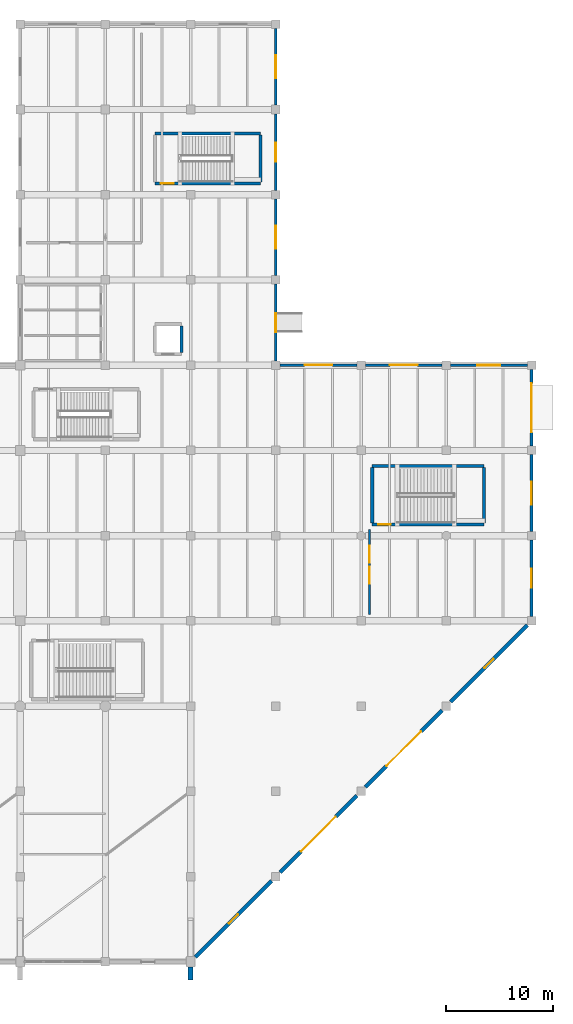
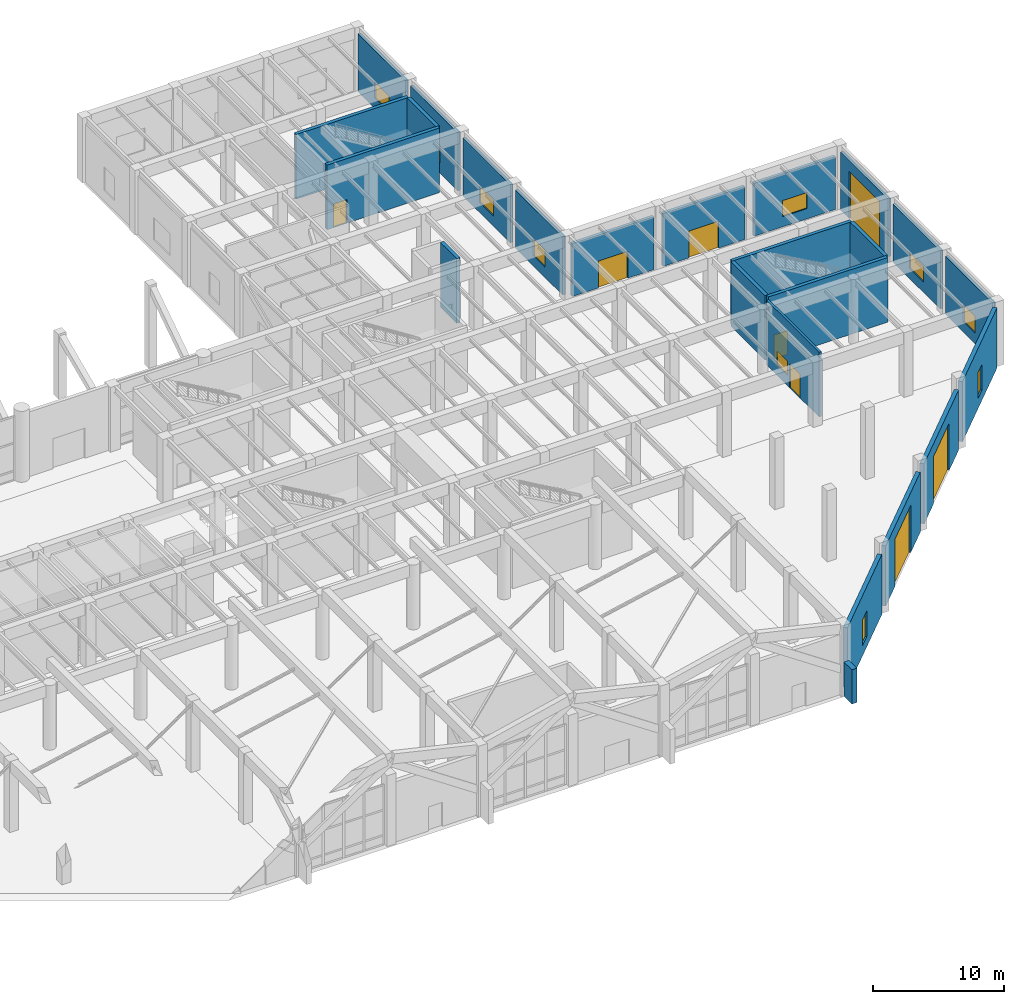
# One storey, part 40 of 51: 24 walls, 10 windows, 8 doors, 18 openings.
"""IFC4 building model written with IfcOpenShell, lengths in metres."""

from ifc_helpers import new_model, si_unit, direction, frame, frame_2d, origin, place, context, subcontext, project, spatial, rectangle, extrude, material, layer, layer_set, type_object, element, fill, save


model = new_model("IFC4")

# Units and contexts
model_context = context("Model", 3, precision=1e-05, world=origin(), true_north=direction((0.0, 1.0)))
body_context = subcontext(model_context, "Body", "Model", "MODEL_VIEW")
ifc_project = project(units=[si_unit("LENGTHUNIT", "METRE"), si_unit("AREAUNIT", "SQUARE_METRE"), si_unit("VOLUMEUNIT", "CUBIC_METRE"), si_unit("PLANEANGLEUNIT", "RADIAN"), si_unit("MASSUNIT", "GRAM", prefix="KILO")], contexts=[model_context])

# Site, building, storey
site_placement = place(None, origin())
site = spatial("IfcSite", under=ifc_project, at=site_placement, CompositionType="ELEMENT")
building_placement = place(site_placement, origin())
building = spatial("IfcBuilding", under=site, at=building_placement, Name="Varnela Railside Interchange", CompositionType="ELEMENT")
storey_placement = place(building_placement, origin())
storey = spatial("IfcBuildingStorey", under=building, at=storey_placement, Name="L00", CompositionType="ELEMENT", Elevation=0.0)

# Wall, opening, window
ifc_material_1 = material(Name="Concrete C40 precast", Category="concrete")
ifc_layer_1 = layer(ifc_material_1, 0.35009765625)
ifc_layer_set_1 = layer_set([ifc_layer_1], Name="Concrete C40 precast")
wall_type_1 = type_object("IfcWallType", Name="Bus Deck Acoustic Concrete Wall EW-04", PredefinedType="STANDARD", material=ifc_layer_set_1)
wall_1_placement = place(storey_placement, frame((163.60009765625, 37.60009765625, 0.0), z_axis=(0.0, 0.0, 1.0), x_axis=(-0.707106781187, -0.707106781187, 0.0)))
wall_1 = element("IfcWall", 1, at=wall_1_placement, inside=storey, type_object=wall_type_1, Name="Bus Deck Acoustic Concrete Wall EW-04 (L00) (WL-0373)", PredefinedType="STANDARD", context=body_context, shape_type="SweptSolid", body=[
    extrude(rectangle(XDim=10.1826171875, YDim=0.35009765625, at=frame_2d((5.09130859375, 0.0))), origin(), (0.0, 0.0, 1.0), 5.60009765625),
])
opening_1_placement = place(wall_1_placement, frame((4.4912109375, 0.0, 0.949951171875)))
opening_1 = element("IfcOpeningElement", 2, at=opening_1_placement, cuts=wall_1, Name="Opening W-020", PredefinedType="OPENING", context=body_context, shape_type="SweptSolid", body=[
    extrude(rectangle(XDim=1.199951171875, YDim=2.39990234375, at=frame_2d((0.60009765625, 1.199951171875))), frame((0.0, 0.18505859375, 0.0), z_axis=(0.0, -1.0, 0.0), x_axis=(1.0, 0.0, 0.0)), (0.0, 0.0, 1.0), 0.3701171875),
])
ifc_material_2 = material(Name="Glass laminated double", Category="glass")
window_type_1 = type_object("IfcWindowType", Name="Diagonal Portal Sidelight WN-08", PartitioningType="SINGLE_PANEL", PredefinedType="WINDOW", material=ifc_material_2)
window_1_placement = place(opening_1_placement, origin())
window_1 = element("IfcWindow", 3, at=window_1_placement, inside=storey, type_object=window_type_1, Name="Window W-020", OverallHeight=2.39990234375, OverallWidth=1.199951171875, PartitioningType="SINGLE_PANEL", PredefinedType="WINDOW", context=body_context, shape_type="SweptSolid", body=[
    extrude(rectangle(XDim=1.199951171875, YDim=2.39990234375, at=frame_2d((0.60009765625, 1.199951171875))), frame((0.0, 0.030029296875, 0.0), z_axis=(0.0, -1.0, 0.0), x_axis=(1.0, 0.0, 0.0)), (0.0, 0.0, 1.0), 0.06005859375),
])
fill(opening_1, window_1)

# Wall, opening, door
wall_2_placement = place(storey_placement, frame((155.60009765625, 29.60009765625, 0.0), z_axis=(0.0, 0.0, 1.0), x_axis=(-0.707106781187, -0.707106781187, 0.0)))
wall_2 = element("IfcWall", 4, at=wall_2_placement, inside=storey, type_object=wall_type_1, Name="Bus Deck Acoustic Concrete Wall EW-04 (L00) (WL-0374)", PredefinedType="STANDARD", context=body_context, shape_type="SweptSolid", body=[
    extrude(rectangle(XDim=10.1826171875, YDim=0.35009765625, at=frame_2d((5.09130859375, 0.0))), origin(), (0.0, 0.0, 1.0), 5.60009765625),
])
opening_2_placement = place(wall_2_placement, frame((2.791259765625, 0.0, 0.0)))
opening_2 = element("IfcOpeningElement", 5, at=opening_2_placement, cuts=wall_2, Name="Opening D-016", PredefinedType="OPENING", context=body_context, shape_type="SweptSolid", body=[
    extrude(rectangle(XDim=4.60009765625, YDim=4.39990234375, at=frame_2d((2.300048828125, 2.199951171875))), frame((0.0, 0.18505859375, 0.0), z_axis=(0.0, -1.0, 0.0), x_axis=(1.0, 0.0, 0.0)), (0.0, 0.0, 1.0), 0.3701171875),
])
ifc_material_3 = material(Name="Steel AR 350 (350 MPa)", Category="steel")
door_type_1 = type_object("IfcDoorType", Name="Bus Apron Roller Portal Gate ED-05", OperationType="ROLLINGUP", PredefinedType="GATE", material=ifc_material_3)
door_1_placement = place(opening_2_placement, origin())
door_1 = element("IfcDoor", 6, at=door_1_placement, inside=storey, type_object=door_type_1, Name="Door D-016", OperationType="ROLLINGUP", OverallHeight=4.39990234375, OverallWidth=4.60009765625, PredefinedType="GATE", context=body_context, shape_type="SweptSolid", body=[
    extrude(rectangle(XDim=4.60009765625, YDim=4.39990234375, at=frame_2d((2.300048828125, 2.199951171875))), frame((0.0, 0.02490234375, 0.0), z_axis=(0.0, -1.0, 0.0), x_axis=(1.0, 0.0, 0.0)), (0.0, 0.0, 1.0), 0.050048828125),
])
fill(opening_2, door_1)

wall_3_placement = place(storey_placement, frame((147.60009765625, 21.60009765625, 0.0), z_axis=(0.0, 0.0, 1.0), x_axis=(-0.707106781187, -0.707106781187, 0.0)))
wall_3 = element("IfcWall", 7, at=wall_3_placement, inside=storey, type_object=wall_type_1, Name="Bus Deck Acoustic Concrete Wall EW-04 (L00) (WL-0375)", PredefinedType="STANDARD", context=body_context, shape_type="SweptSolid", body=[
    extrude(rectangle(XDim=10.1826171875, YDim=0.35009765625, at=frame_2d((5.09130859375, 0.0))), origin(), (0.0, 0.0, 1.0), 5.60009765625),
])
opening_3_placement = place(wall_3_placement, frame((2.791259765625, 0.0, 0.0)))
opening_3 = element("IfcOpeningElement", 8, at=opening_3_placement, cuts=wall_3, Name="Opening D-017", PredefinedType="OPENING", context=body_context, shape_type="SweptSolid", body=[
    extrude(rectangle(XDim=4.60009765625, YDim=4.39990234375, at=frame_2d((2.300048828125, 2.199951171875))), frame((0.0, 0.18505859375, 0.0), z_axis=(0.0, -1.0, 0.0), x_axis=(1.0, 0.0, 0.0)), (0.0, 0.0, 1.0), 0.3701171875),
])
door_2_placement = place(opening_3_placement, origin())
door_2 = element("IfcDoor", 9, at=door_2_placement, inside=storey, type_object=door_type_1, Name="Door D-017", OperationType="ROLLINGUP", OverallHeight=4.39990234375, OverallWidth=4.60009765625, PredefinedType="GATE", context=body_context, shape_type="SweptSolid", body=[
    extrude(rectangle(XDim=4.60009765625, YDim=4.39990234375, at=frame_2d((2.300048828125, 2.199951171875))), frame((0.0, 0.02490234375, 0.0), z_axis=(0.0, -1.0, 0.0), x_axis=(1.0, 0.0, 0.0)), (0.0, 0.0, 1.0), 0.050048828125),
])
fill(opening_3, door_2)

# Wall, opening, window
wall_4_placement = place(storey_placement, frame((139.60009765625, 13.60009765625, 0.0), z_axis=(0.0, 0.0, 1.0), x_axis=(-0.707106781187, -0.707106781187, 0.0)))
wall_4 = element("IfcWall", 10, at=wall_4_placement, inside=storey, type_object=wall_type_1, Name="Bus Deck Acoustic Concrete Wall EW-04 (L00) (WL-0376)", PredefinedType="STANDARD", context=body_context, shape_type="SweptSolid", body=[
    extrude(rectangle(XDim=10.107666015625, YDim=0.35009765625, at=frame_2d((5.0537109375, 0.0))), origin(), (0.0, 0.0, 1.0), 5.60009765625),
])
opening_4_placement = place(wall_4_placement, frame((4.453857421875, 0.0, 0.949951171875)))
opening_4 = element("IfcOpeningElement", 11, at=opening_4_placement, cuts=wall_4, Name="Opening W-021", PredefinedType="OPENING", context=body_context, shape_type="SweptSolid", body=[
    extrude(rectangle(XDim=1.199951171875, YDim=2.39990234375, at=frame_2d((0.60009765625, 1.199951171875))), frame((0.0, 0.18505859375, 0.0), z_axis=(0.0, -1.0, 0.0), x_axis=(1.0, 0.0, 0.0)), (0.0, 0.0, 1.0), 0.3701171875),
])
window_2_placement = place(opening_4_placement, origin())
window_2 = element("IfcWindow", 12, at=window_2_placement, inside=storey, type_object=window_type_1, Name="Window W-021", OverallHeight=2.39990234375, OverallWidth=1.199951171875, PartitioningType="SINGLE_PANEL", PredefinedType="WINDOW", context=body_context, shape_type="SweptSolid", body=[
    extrude(rectangle(XDim=1.199951171875, YDim=2.39990234375, at=frame_2d((0.60009765625, 1.199951171875))), frame((0.0, 0.030029296875, 0.0), z_axis=(0.0, -1.0, 0.0), x_axis=(1.0, 0.0, 0.0)), (0.0, 0.0, 1.0), 0.06005859375),
])
fill(opening_4, window_2)

# Wall, openings, door, window
ifc_material_4 = material(Name="Gypsum acoustic board")
ifc_layer_2 = layer(ifc_material_4, 0.179931640625)
ifc_layer_set_2 = layer_set([ifc_layer_2], Name="Gypsum acoustic board")
wall_type_2 = type_object("IfcWallType", Name="Double-Stud Corridor Wall IW-02", PredefinedType="PARTITIONING", material=ifc_layer_set_2)
wall_5_placement = place(storey_placement, frame((148.800048828125, 38.60009765625, 0.0), z_axis=(0.0, 0.0, 1.0), x_axis=(0.0, 1.0, 0.0)))
wall_5 = element("IfcWall", 13, at=wall_5_placement, inside=storey, type_object=wall_type_2, Name="Double-Stud Corridor Wall IW-02 (L00) (WL-0389)", PredefinedType="PARTITIONING", context=body_context, shape_type="SweptSolid", body=[
    extrude(rectangle(XDim=8.0, YDim=0.199951171875, at=frame_2d((4.0, 0.0))), origin(), (0.0, 0.0, 1.0), 6.02001953125),
])
opening_5_placement = place(wall_5_placement, frame((2.89990234375, 0.0, 0.0)))
opening_5 = element("IfcOpeningElement", 14, at=opening_5_placement, cuts=wall_5, Name="Opening D-176", PredefinedType="OPENING", context=body_context, shape_type="SweptSolid", body=[
    extrude(rectangle(XDim=1.60009765625, YDim=2.199951171875, at=frame_2d((0.800048828125, 1.10009765625))), frame((0.0, 0.10986328125, 0.0), z_axis=(0.0, -1.0, 0.0), x_axis=(1.0, 0.0, 0.0)), (0.0, 0.0, 1.0), 0.219970703125),
])
opening_6_placement = place(wall_5_placement, frame((4.85009765625, 0.0, 0.949951171875)))
opening_6 = element("IfcOpeningElement", 15, at=opening_6_placement, cuts=wall_5, Name="Opening IW-004", PredefinedType="OPENING", context=body_context, shape_type="SweptSolid", body=[
    extrude(rectangle(XDim=1.60009765625, YDim=1.300048828125, at=frame_2d((0.800048828125, 0.64990234375))), frame((0.0, 0.10986328125, 0.0), z_axis=(0.0, -1.0, 0.0), x_axis=(1.0, 0.0, 0.0)), (0.0, 0.0, 1.0), 0.219970703125),
])
door_type_2 = type_object("IfcDoorType", Name="DR-DBL-1600", OperationType="DOUBLE_DOOR_SINGLE_SWING", PredefinedType="DOOR", material=ifc_material_2)
door_3_placement = place(opening_5_placement, origin())
door_3 = element("IfcDoor", 16, at=door_3_placement, inside=storey, type_object=door_type_2, Name="Door D-176", OperationType="DOUBLE_DOOR_SINGLE_SWING", OverallHeight=2.199951171875, OverallWidth=1.60009765625, PredefinedType="DOOR", context=body_context, shape_type="SweptSolid", body=[
    extrude(rectangle(XDim=1.60009765625, YDim=2.199951171875, at=frame_2d((0.800048828125, 1.10009765625))), frame((0.0, 0.02490234375, 0.0), z_axis=(0.0, -1.0, 0.0), x_axis=(1.0, 0.0, 0.0)), (0.0, 0.0, 1.0), 0.050048828125),
])
fill(opening_5, door_3)
window_type_2 = type_object("IfcWindowType", Name="Interior Acoustic Vision Window IW-WN1", PartitioningType="SINGLE_PANEL", PredefinedType="WINDOW", material=ifc_material_2)
window_3_placement = place(opening_6_placement, origin())
window_3 = element("IfcWindow", 17, at=window_3_placement, inside=storey, type_object=window_type_2, Name="Window IW-004", OverallHeight=1.300048828125, OverallWidth=1.60009765625, PartitioningType="SINGLE_PANEL", PredefinedType="WINDOW", context=body_context, shape_type="SweptSolid", body=[
    extrude(rectangle(XDim=1.60009765625, YDim=1.300048828125, at=frame_2d((0.800048828125, 0.64990234375))), frame((0.0, 0.030029296875, 0.0), z_axis=(0.0, -1.0, 0.0), x_axis=(1.0, 0.0, 0.0)), (0.0, 0.0, 1.0), 0.06005859375),
])
fill(opening_6, window_3)

# Wall
ifc_material_5 = material(Name="Concrete C50", Category="concrete")
ifc_layer_3 = layer(ifc_material_5, 0.300048828125)
ifc_layer_set_3 = layer_set([ifc_layer_3], Name="Concrete C50")
wall_type_3 = type_object("IfcWallType", Name="Stair & Lift Shaft Wall SW-03", PredefinedType="SHEAR", material=ifc_layer_set_3)
wall_6_placement = place(storey_placement, frame((128.64990234375, 83.75, 0.0), z_axis=(0.0, 0.0, 1.0), x_axis=(1.0, 0.0, 0.0)))
element("IfcWall", 18, at=wall_6_placement, inside=storey, type_object=wall_type_3, Name="Stair & Lift Shaft Wall SW-03 (L00) (WL-0447)", PredefinedType="SHEAR", context=body_context, shape_type="SweptSolid", body=[
    extrude(rectangle(XDim=9.900146484375, YDim=0.300048828125, at=frame_2d((4.9501953125, 0.0))), origin(), (0.0, 0.0, 1.0), 6.02001953125),
])

# Wall, opening, door
wall_7_placement = place(storey_placement, frame((128.64990234375, 79.050048828125, 0.0), z_axis=(0.0, 0.0, 1.0), x_axis=(1.0, 0.0, 0.0)))
wall_7 = element("IfcWall", 19, at=wall_7_placement, inside=storey, type_object=wall_type_3, Name="Stair & Lift Shaft Wall SW-03 (L00) (WL-0448)", PredefinedType="SHEAR", context=body_context, shape_type="SweptSolid", body=[
    extrude(rectangle(XDim=9.900146484375, YDim=0.300048828125, at=frame_2d((4.9501953125, 0.0))), origin(), (0.0, 0.0, 1.0), 6.02001953125),
])
opening_7_placement = place(wall_7_placement, frame((0.550048828125, 0.0, 0.0)))
opening_7 = element("IfcOpeningElement", 20, at=opening_7_placement, cuts=wall_7, Name="Opening D-156", PredefinedType="OPENING", context=body_context, shape_type="SweptSolid", body=[
    extrude(rectangle(XDim=1.199951171875, YDim=2.199951171875, at=frame_2d((0.60009765625, 1.10009765625))), frame((0.0, 0.159912109375, 0.0), z_axis=(0.0, -1.0, 0.0), x_axis=(1.0, 0.0, 0.0)), (0.0, 0.0, 1.0), 0.320068359375),
])
door_type_3 = type_object("IfcDoorType", Name="DR-SGL-1200-FD90", OperationType="NOTDEFINED", PredefinedType="DOOR", material=ifc_material_3)
door_4_placement = place(opening_7_placement, frame((1.199951171875, 0.0, 0.0), z_axis=(0.0, 0.0, 1.0), x_axis=(-1.0, 0.0, 0.0)))
door_4 = element("IfcDoor", 21, at=door_4_placement, inside=storey, type_object=door_type_3, Name="Door D-156", OperationType="SINGLE_SWING_LEFT", OverallHeight=2.199951171875, OverallWidth=1.199951171875, PredefinedType="DOOR", context=body_context, shape_type="SweptSolid", body=[
    extrude(rectangle(XDim=1.199951171875, YDim=2.199951171875, at=frame_2d((0.60009765625, 1.10009765625))), frame((0.0, 0.02490234375, 0.0), z_axis=(0.0, -1.0, 0.0), x_axis=(1.0, 0.0, 0.0)), (0.0, 0.0, 1.0), 0.050048828125),
])
fill(opening_7, door_4)

# Walls
wall_8_placement = place(storey_placement, frame((138.550048828125, 79.199951171875, 0.0), z_axis=(0.0, 0.0, 1.0), x_axis=(0.0, 1.0, 0.0)))
element("IfcWall", 22, at=wall_8_placement, inside=storey, type_object=wall_type_3, Name="Stair & Lift Shaft Wall SW-03 (L00) (WL-0446)", PredefinedType="SHEAR", context=body_context, shape_type="SweptSolid", body=[
    extrude(rectangle(XDim=4.400146484375, YDim=0.300048828125, at=frame_2d((2.2001953125, 0.0))), origin(), (0.0, 0.0, 1.0), 6.02001953125),
])
wall_9_placement = place(storey_placement, frame((149.050048828125, 52.550048828125, 0.0), z_axis=(0.0, 0.0, 1.0), x_axis=(1.0, 0.0, 0.0)))
element("IfcWall", 23, at=wall_9_placement, inside=storey, type_object=wall_type_3, Name="Stair & Lift Shaft Wall SW-03 (L00) (WL-0451)", PredefinedType="SHEAR", context=body_context, shape_type="SweptSolid", body=[
    extrude(rectangle(XDim=10.5, YDim=0.300048828125, at=frame_2d((5.25, 0.0))), origin(), (0.0, 0.0, 1.0), 6.02001953125),
])

# Wall, opening, door
wall_10_placement = place(storey_placement, frame((149.050048828125, 47.050048828125, 0.0), z_axis=(0.0, 0.0, 1.0), x_axis=(1.0, 0.0, 0.0)))
wall_10 = element("IfcWall", 24, at=wall_10_placement, inside=storey, type_object=wall_type_3, Name="Stair & Lift Shaft Wall SW-03 (L00) (WL-0452)", PredefinedType="SHEAR", context=body_context, shape_type="SweptSolid", body=[
    extrude(rectangle(XDim=10.5, YDim=0.300048828125, at=frame_2d((5.25, 0.0))), origin(), (0.0, 0.0, 1.0), 6.02001953125),
])
opening_8_placement = place(wall_10_placement, frame((0.550048828125, 0.0, 0.0)))
opening_8 = element("IfcOpeningElement", 25, at=opening_8_placement, cuts=wall_10, Name="Opening D-157", PredefinedType="OPENING", context=body_context, shape_type="SweptSolid", body=[
    extrude(rectangle(XDim=1.199951171875, YDim=2.199951171875, at=frame_2d((0.60009765625, 1.10009765625))), frame((0.0, 0.159912109375, 0.0), z_axis=(0.0, -1.0, 0.0), x_axis=(1.0, 0.0, 0.0)), (0.0, 0.0, 1.0), 0.320068359375),
])
door_5_placement = place(opening_8_placement, frame((1.199951171875, 0.0, 0.0), z_axis=(0.0, 0.0, 1.0), x_axis=(-1.0, 0.0, 0.0)))
door_5 = element("IfcDoor", 26, at=door_5_placement, inside=storey, type_object=door_type_3, Name="Door D-157", OperationType="SINGLE_SWING_RIGHT", OverallHeight=2.199951171875, OverallWidth=1.199951171875, PredefinedType="DOOR", context=body_context, shape_type="SweptSolid", body=[
    extrude(rectangle(XDim=1.199951171875, YDim=2.199951171875, at=frame_2d((0.60009765625, 1.10009765625))), frame((0.0, 0.02490234375, 0.0), z_axis=(0.0, -1.0, 0.0), x_axis=(1.0, 0.0, 0.0)), (0.0, 0.0, 1.0), 0.050048828125),
])
fill(opening_8, door_5)

# Walls
for number, where, z_axis, x_axis, name in (
    (27, (149.050048828125, 47.199951171875, 0.0), (0.0, 0.0, 1.0), (0.0, 1.0, 0.0), "Stair & Lift Shaft Wall SW-03 (L00) (WL-0453)"),
    (28, (159.550048828125, 47.199951171875, 0.0), (0.0, 0.0, 1.0), (0.0, 1.0, 0.0), "Stair & Lift Shaft Wall SW-03 (L00) (WL-0450)"),
):
    element("IfcWall", number, at=place(storey_placement, frame(where, z_axis=z_axis, x_axis=x_axis)), inside=storey, type_object=wall_type_3, Name=name, PredefinedType="SHEAR", context=body_context, shape_type="SweptSolid", body=[
        extrude(rectangle(XDim=5.199951171875, YDim=0.300048828125, at=frame_2d((2.60009765625, 0.0))), origin(), (0.0, 0.0, 1.0), 6.02001953125),
    ])
wall_11_placement = place(storey_placement, frame((131.14990234375, 63.199951171875, 0.0), z_axis=(0.0, 0.0, 1.0), x_axis=(0.0, 1.0, 0.0)))
element("IfcWall", 29, at=wall_11_placement, inside=storey, type_object=wall_type_3, Name="Stair & Lift Shaft Wall SW-03 (L00) (WL-0422)", PredefinedType="SHEAR", context=body_context, shape_type="SweptSolid", body=[
    extrude(rectangle(XDim=2.5, YDim=0.300048828125, at=frame_2d((1.25, 0.0))), origin(), (0.0, 0.0, 1.0), 6.02001953125),
])

# Wall, opening, window
ifc_layer_4 = layer(ifc_material_1, 0.260009765625)
ifc_layer_set_4 = layer_set([ifc_layer_4], Name="Concrete C40 precast")
wall_type_4 = type_object("IfcWallType", Name="Terracotta Precast Study Facade Wall EW-03", PredefinedType="STANDARD", material=ifc_layer_set_4)
wall_12_placement = place(storey_placement, frame((140.0, 93.60009765625, 0.0), z_axis=(0.0, 0.0, 1.0), x_axis=(0.0, -1.0, 0.0)))
wall_12 = element("IfcWall", 30, at=wall_12_placement, inside=storey, type_object=wall_type_4, Name="Terracotta Precast Study Facade Wall EW-03 (L00) (WL-0362)", PredefinedType="STANDARD", context=body_context, shape_type="SweptSolid", body=[
    extrude(rectangle(XDim=7.2001953125, YDim=0.260009765625, at=frame_2d((3.60009765625, 0.0))), origin(), (0.0, 0.0, 1.0), 5.407958984375),
])
opening_9_placement = place(wall_12_placement, frame((2.52490234375, 0.0, 0.949951171875)))
opening_9 = element("IfcOpeningElement", 31, at=opening_9_placement, cuts=wall_12, Name="Opening W-013", PredefinedType="OPENING", context=body_context, shape_type="SweptSolid", body=[
    extrude(rectangle(XDim=2.14990234375, YDim=1.5, at=frame_2d((1.074951171875, 0.75))), frame((0.0, 0.139892578125, 0.0), z_axis=(0.0, -1.0, 0.0), x_axis=(1.0, 0.0, 0.0)), (0.0, 0.0, 1.0), 0.280029296875),
])
window_type_3 = type_object("IfcWindowType", Name="Cycle Workshop Louvre Win WN-22", PartitioningType="SINGLE_PANEL", PredefinedType="WINDOW", material=ifc_material_2)
window_4_placement = place(opening_9_placement, origin())
window_4 = element("IfcWindow", 32, at=window_4_placement, inside=storey, type_object=window_type_3, Name="Window W-013", OverallHeight=1.5, OverallWidth=2.14990234375, PartitioningType="SINGLE_PANEL", PredefinedType="WINDOW", context=body_context, shape_type="SweptSolid", body=[
    extrude(rectangle(XDim=2.14990234375, YDim=1.5, at=frame_2d((1.074951171875, 0.75))), frame((0.0, 0.030029296875, 0.0), z_axis=(0.0, -1.0, 0.0), x_axis=(1.0, 0.0, 0.0)), (0.0, 0.0, 1.0), 0.06005859375),
])
fill(opening_9, window_4)

wall_13_placement = place(storey_placement, frame((140.0, 85.60009765625, 0.0), z_axis=(0.0, 0.0, 1.0), x_axis=(0.0, -1.0, 0.0)))
wall_13 = element("IfcWall", 33, at=wall_13_placement, inside=storey, type_object=wall_type_4, Name="Terracotta Precast Study Facade Wall EW-03 (L00) (WL-0363)", PredefinedType="STANDARD", context=body_context, shape_type="SweptSolid", body=[
    extrude(rectangle(XDim=7.2001953125, YDim=0.260009765625, at=frame_2d((3.60009765625, 0.0))), origin(), (0.0, 0.0, 1.0), 5.407958984375),
])
opening_10_placement = place(wall_13_placement, frame((2.699951171875, 0.0, 0.949951171875)))
opening_10 = element("IfcOpeningElement", 34, at=opening_10_placement, cuts=wall_13, Name="Opening W-014", PredefinedType="OPENING", context=body_context, shape_type="SweptSolid", body=[
    extrude(rectangle(XDim=1.800048828125, YDim=1.60009765625, at=frame_2d((0.89990234375, 0.800048828125))), frame((0.0, 0.139892578125, 0.0), z_axis=(0.0, -1.0, 0.0), x_axis=(1.0, 0.0, 0.0)), (0.0, 0.0, 1.0), 0.280029296875),
])
window_type_4 = type_object("IfcWindowType", Name="Cycle Hub Punched Window WN-02", PartitioningType="SINGLE_PANEL", PredefinedType="WINDOW", material=ifc_material_2)
window_5_placement = place(opening_10_placement, origin())
window_5 = element("IfcWindow", 35, at=window_5_placement, inside=storey, type_object=window_type_4, Name="Window W-014", OverallHeight=1.60009765625, OverallWidth=1.800048828125, PartitioningType="SINGLE_PANEL", PredefinedType="WINDOW", context=body_context, shape_type="SweptSolid", body=[
    extrude(rectangle(XDim=1.800048828125, YDim=1.60009765625, at=frame_2d((0.89990234375, 0.800048828125))), frame((0.0, 0.030029296875, 0.0), z_axis=(0.0, -1.0, 0.0), x_axis=(1.0, 0.0, 0.0)), (0.0, 0.0, 1.0), 0.06005859375),
])
fill(opening_10, window_5)

wall_14_placement = place(storey_placement, frame((140.0, 77.60009765625, 0.0), z_axis=(0.0, 0.0, 1.0), x_axis=(0.0, -1.0, 0.0)))
wall_14 = element("IfcWall", 36, at=wall_14_placement, inside=storey, type_object=wall_type_4, Name="Terracotta Precast Study Facade Wall EW-03 (L00) (WL-0364)", PredefinedType="STANDARD", context=body_context, shape_type="SweptSolid", body=[
    extrude(rectangle(XDim=7.2001953125, YDim=0.260009765625, at=frame_2d((3.60009765625, 0.0))), origin(), (0.0, 0.0, 1.0), 5.407958984375),
])
opening_11_placement = place(wall_14_placement, frame((2.52490234375, 0.0, 0.949951171875)))
opening_11 = element("IfcOpeningElement", 37, at=opening_11_placement, cuts=wall_14, Name="Opening W-015", PredefinedType="OPENING", context=body_context, shape_type="SweptSolid", body=[
    extrude(rectangle(XDim=2.14990234375, YDim=1.5, at=frame_2d((1.074951171875, 0.75))), frame((0.0, 0.139892578125, 0.0), z_axis=(0.0, -1.0, 0.0), x_axis=(1.0, 0.0, 0.0)), (0.0, 0.0, 1.0), 0.280029296875),
])
window_6_placement = place(opening_11_placement, origin())
window_6 = element("IfcWindow", 38, at=window_6_placement, inside=storey, type_object=window_type_3, Name="Window W-015", OverallHeight=1.5, OverallWidth=2.14990234375, PartitioningType="SINGLE_PANEL", PredefinedType="WINDOW", context=body_context, shape_type="SweptSolid", body=[
    extrude(rectangle(XDim=2.14990234375, YDim=1.5, at=frame_2d((1.074951171875, 0.75))), frame((0.0, 0.030029296875, 0.0), z_axis=(0.0, -1.0, 0.0), x_axis=(1.0, 0.0, 0.0)), (0.0, 0.0, 1.0), 0.06005859375),
])
fill(opening_11, window_6)

wall_15_placement = place(storey_placement, frame((140.0, 69.60009765625, 0.0), z_axis=(0.0, 0.0, 1.0), x_axis=(0.0, -1.0, 0.0)))
wall_15 = element("IfcWall", 39, at=wall_15_placement, inside=storey, type_object=wall_type_4, Name="Terracotta Precast Study Facade Wall EW-03 (L00) (WL-0366)", PredefinedType="STANDARD", context=body_context, shape_type="SweptSolid", body=[
    extrude(rectangle(XDim=7.2001953125, YDim=0.260009765625, at=frame_2d((3.60009765625, 0.0))), origin(), (0.0, 0.0, 1.0), 5.407958984375),
])
opening_12_placement = place(wall_15_placement, frame((2.699951171875, 0.0, 0.949951171875)))
opening_12 = element("IfcOpeningElement", 40, at=opening_12_placement, cuts=wall_15, Name="Opening W-016", PredefinedType="OPENING", context=body_context, shape_type="SweptSolid", body=[
    extrude(rectangle(XDim=1.800048828125, YDim=1.60009765625, at=frame_2d((0.89990234375, 0.800048828125))), frame((0.0, 0.139892578125, 0.0), z_axis=(0.0, -1.0, 0.0), x_axis=(1.0, 0.0, 0.0)), (0.0, 0.0, 1.0), 0.280029296875),
])
window_7_placement = place(opening_12_placement, origin())
window_7 = element("IfcWindow", 41, at=window_7_placement, inside=storey, type_object=window_type_4, Name="Window W-016", OverallHeight=1.60009765625, OverallWidth=1.800048828125, PartitioningType="SINGLE_PANEL", PredefinedType="WINDOW", context=body_context, shape_type="SweptSolid", body=[
    extrude(rectangle(XDim=1.800048828125, YDim=1.60009765625, at=frame_2d((0.89990234375, 0.800048828125))), frame((0.0, 0.030029296875, 0.0), z_axis=(0.0, -1.0, 0.0), x_axis=(1.0, 0.0, 0.0)), (0.0, 0.0, 1.0), 0.06005859375),
])
fill(opening_12, window_7)

# Wall, opening, door
wall_16_placement = place(storey_placement, frame((140.39990234375, 62.0, 0.0), z_axis=(0.0, 0.0, 1.0), x_axis=(1.0, 0.0, 0.0)))
wall_16 = element("IfcWall", 42, at=wall_16_placement, inside=storey, type_object=wall_type_4, Name="Terracotta Precast Study Facade Wall EW-03 (L00) (WL-0367)", PredefinedType="STANDARD", context=body_context, shape_type="SweptSolid", body=[
    extrude(rectangle(XDim=7.2001953125, YDim=0.260009765625, at=frame_2d((3.60009765625, 0.0))), origin(), (0.0, 0.0, 1.0), 4.919921875),
])
opening_13_placement = place(wall_16_placement, frame((2.300048828125, 0.0, 0.0)))
opening_13 = element("IfcOpeningElement", 43, at=opening_13_placement, cuts=wall_16, Name="Opening D-013", PredefinedType="OPENING", context=body_context, shape_type="SweptSolid", body=[
    extrude(rectangle(XDim=2.60009765625, YDim=2.5, at=frame_2d((1.300048828125, 1.25))), frame((0.0, 0.139892578125, 0.0), z_axis=(0.0, -1.0, 0.0), x_axis=(1.0, 0.0, 0.0)), (0.0, 0.0, 1.0), 0.280029296875),
])
ifc_material_6 = material(Name="Aluminium 6063-T6", Category="aluminium")
door_type_4 = type_object("IfcDoorType", Name="Cycle Hub Sliding Portal Door ED-03", OperationType="SLIDING_TO_LEFT", PredefinedType="DOOR", material=ifc_material_6)
door_6_placement = place(opening_13_placement, origin())
door_6 = element("IfcDoor", 44, at=door_6_placement, inside=storey, type_object=door_type_4, Name="Door D-013", OperationType="SLIDING_TO_LEFT", OverallHeight=2.5, OverallWidth=2.60009765625, PredefinedType="DOOR", context=body_context, shape_type="SweptSolid", body=[
    extrude(rectangle(XDim=2.60009765625, YDim=2.5, at=frame_2d((1.300048828125, 1.25))), frame((0.0, 0.02490234375, 0.0), z_axis=(0.0, -1.0, 0.0), x_axis=(1.0, 0.0, 0.0)), (0.0, 0.0, 1.0), 0.050048828125),
])
fill(opening_13, door_6)

wall_17_placement = place(storey_placement, frame((148.39990234375, 62.0, 0.0), z_axis=(0.0, 0.0, 1.0), x_axis=(1.0, 0.0, 0.0)))
wall_17 = element("IfcWall", 45, at=wall_17_placement, inside=storey, type_object=wall_type_4, Name="Terracotta Precast Study Facade Wall EW-03 (L00) (WL-0368)", PredefinedType="STANDARD", context=body_context, shape_type="SweptSolid", body=[
    extrude(rectangle(XDim=7.2001953125, YDim=0.260009765625, at=frame_2d((3.60009765625, 0.0))), origin(), (0.0, 0.0, 1.0), 4.919921875),
])
opening_14_placement = place(wall_17_placement, frame((2.300048828125, 0.0, 0.0)))
opening_14 = element("IfcOpeningElement", 46, at=opening_14_placement, cuts=wall_17, Name="Opening D-014", PredefinedType="OPENING", context=body_context, shape_type="SweptSolid", body=[
    extrude(rectangle(XDim=2.60009765625, YDim=2.5, at=frame_2d((1.300048828125, 1.25))), frame((0.0, 0.139892578125, 0.0), z_axis=(0.0, -1.0, 0.0), x_axis=(1.0, 0.0, 0.0)), (0.0, 0.0, 1.0), 0.280029296875),
])
door_7_placement = place(opening_14_placement, origin())
door_7 = element("IfcDoor", 47, at=door_7_placement, inside=storey, type_object=door_type_4, Name="Door D-014", OperationType="SLIDING_TO_LEFT", OverallHeight=2.5, OverallWidth=2.60009765625, PredefinedType="DOOR", context=body_context, shape_type="SweptSolid", body=[
    extrude(rectangle(XDim=2.60009765625, YDim=2.5, at=frame_2d((1.300048828125, 1.25))), frame((0.0, 0.02490234375, 0.0), z_axis=(0.0, -1.0, 0.0), x_axis=(1.0, 0.0, 0.0)), (0.0, 0.0, 1.0), 0.050048828125),
])
fill(opening_14, door_7)

# Wall, opening, window
wall_18_placement = place(storey_placement, frame((156.39990234375, 62.0, 0.0), z_axis=(0.0, 0.0, 1.0), x_axis=(1.0, 0.0, 0.0)))
wall_18 = element("IfcWall", 48, at=wall_18_placement, inside=storey, type_object=wall_type_4, Name="Terracotta Precast Study Facade Wall EW-03 (L00) (WL-0369)", PredefinedType="STANDARD", context=body_context, shape_type="SweptSolid", body=[
    extrude(rectangle(XDim=7.2001953125, YDim=0.260009765625, at=frame_2d((3.60009765625, 0.0))), origin(), (0.0, 0.0, 1.0), 4.919921875),
])
opening_15_placement = place(wall_18_placement, frame((2.52490234375, 0.0, 0.949951171875)))
opening_15 = element("IfcOpeningElement", 49, at=opening_15_placement, cuts=wall_18, Name="Opening W-017", PredefinedType="OPENING", context=body_context, shape_type="SweptSolid", body=[
    extrude(rectangle(XDim=2.14990234375, YDim=1.5, at=frame_2d((1.074951171875, 0.75))), frame((0.0, 0.139892578125, 0.0), z_axis=(0.0, -1.0, 0.0), x_axis=(1.0, 0.0, 0.0)), (0.0, 0.0, 1.0), 0.280029296875),
])
window_8_placement = place(opening_15_placement, origin())
window_8 = element("IfcWindow", 50, at=window_8_placement, inside=storey, type_object=window_type_3, Name="Window W-017", OverallHeight=1.5, OverallWidth=2.14990234375, PartitioningType="SINGLE_PANEL", PredefinedType="WINDOW", context=body_context, shape_type="SweptSolid", body=[
    extrude(rectangle(XDim=2.14990234375, YDim=1.5, at=frame_2d((1.074951171875, 0.75))), frame((0.0, 0.030029296875, 0.0), z_axis=(0.0, -1.0, 0.0), x_axis=(1.0, 0.0, 0.0)), (0.0, 0.0, 1.0), 0.06005859375),
])
fill(opening_15, window_8)

# Wall, opening, door
wall_19_placement = place(storey_placement, frame((164.0, 61.60009765625, 0.0), z_axis=(0.0, 0.0, 1.0), x_axis=(0.0, -1.0, 0.0)))
wall_19 = element("IfcWall", 51, at=wall_19_placement, inside=storey, type_object=wall_type_4, Name="Terracotta Precast Study Facade Wall EW-03 (L00) (WL-0370)", PredefinedType="STANDARD", context=body_context, shape_type="SweptSolid", body=[
    extrude(rectangle(XDim=7.2001953125, YDim=0.260009765625, at=frame_2d((3.60009765625, 0.0))), origin(), (0.0, 0.0, 1.0), 5.407958984375),
])
opening_16_placement = place(wall_19_placement, frame((1.300048828125, 0.0, 0.0)))
opening_16 = element("IfcOpeningElement", 52, at=opening_16_placement, cuts=wall_19, Name="Opening D-015", PredefinedType="OPENING", context=body_context, shape_type="SweptSolid", body=[
    extrude(rectangle(XDim=4.60009765625, YDim=4.39990234375, at=frame_2d((2.300048828125, 2.199951171875))), frame((0.0, 0.139892578125, 0.0), z_axis=(0.0, -1.0, 0.0), x_axis=(1.0, 0.0, 0.0)), (0.0, 0.0, 1.0), 0.280029296875),
])
door_8_placement = place(opening_16_placement, origin())
door_8 = element("IfcDoor", 53, at=door_8_placement, inside=storey, type_object=door_type_1, Name="Door D-015", OperationType="ROLLINGUP", OverallHeight=4.39990234375, OverallWidth=4.60009765625, PredefinedType="GATE", context=body_context, shape_type="SweptSolid", body=[
    extrude(rectangle(XDim=4.60009765625, YDim=4.39990234375, at=frame_2d((2.300048828125, 2.199951171875))), frame((0.0, 0.02490234375, 0.0), z_axis=(0.0, -1.0, 0.0), x_axis=(1.0, 0.0, 0.0)), (0.0, 0.0, 1.0), 0.050048828125),
])
fill(opening_16, door_8)

# Wall, opening, window
wall_20_placement = place(storey_placement, frame((164.0, 53.60009765625, 0.0), z_axis=(0.0, 0.0, 1.0), x_axis=(0.0, -1.0, 0.0)))
wall_20 = element("IfcWall", 54, at=wall_20_placement, inside=storey, type_object=wall_type_4, Name="Terracotta Precast Study Facade Wall EW-03 (L00) (WL-0371)", PredefinedType="STANDARD", context=body_context, shape_type="SweptSolid", body=[
    extrude(rectangle(XDim=7.2001953125, YDim=0.260009765625, at=frame_2d((3.60009765625, 0.0))), origin(), (0.0, 0.0, 1.0), 5.407958984375),
])
opening_17_placement = place(wall_20_placement, frame((2.52490234375, 0.0, 0.949951171875)))
opening_17 = element("IfcOpeningElement", 55, at=opening_17_placement, cuts=wall_20, Name="Opening W-018", PredefinedType="OPENING", context=body_context, shape_type="SweptSolid", body=[
    extrude(rectangle(XDim=2.14990234375, YDim=1.5, at=frame_2d((1.074951171875, 0.75))), frame((0.0, 0.139892578125, 0.0), z_axis=(0.0, -1.0, 0.0), x_axis=(1.0, 0.0, 0.0)), (0.0, 0.0, 1.0), 0.280029296875),
])
window_9_placement = place(opening_17_placement, origin())
window_9 = element("IfcWindow", 56, at=window_9_placement, inside=storey, type_object=window_type_3, Name="Window W-018", OverallHeight=1.5, OverallWidth=2.14990234375, PartitioningType="SINGLE_PANEL", PredefinedType="WINDOW", context=body_context, shape_type="SweptSolid", body=[
    extrude(rectangle(XDim=2.14990234375, YDim=1.5, at=frame_2d((1.074951171875, 0.75))), frame((0.0, 0.030029296875, 0.0), z_axis=(0.0, -1.0, 0.0), x_axis=(1.0, 0.0, 0.0)), (0.0, 0.0, 1.0), 0.06005859375),
])
fill(opening_17, window_9)

wall_21_placement = place(storey_placement, frame((164.0, 45.60009765625, 0.0), z_axis=(0.0, 0.0, 1.0), x_axis=(0.0, -1.0, 0.0)))
wall_21 = element("IfcWall", 57, at=wall_21_placement, inside=storey, type_object=wall_type_4, Name="Terracotta Precast Study Facade Wall EW-03 (L00) (WL-0372)", PredefinedType="STANDARD", context=body_context, shape_type="SweptSolid", body=[
    extrude(rectangle(XDim=7.2001953125, YDim=0.260009765625, at=frame_2d((3.60009765625, 0.0))), origin(), (0.0, 0.0, 1.0), 5.407958984375),
])
opening_18_placement = place(wall_21_placement, frame((2.699951171875, 0.0, 0.949951171875)))
opening_18 = element("IfcOpeningElement", 58, at=opening_18_placement, cuts=wall_21, Name="Opening W-019", PredefinedType="OPENING", context=body_context, shape_type="SweptSolid", body=[
    extrude(rectangle(XDim=1.800048828125, YDim=1.60009765625, at=frame_2d((0.89990234375, 0.800048828125))), frame((0.0, 0.139892578125, 0.0), z_axis=(0.0, -1.0, 0.0), x_axis=(1.0, 0.0, 0.0)), (0.0, 0.0, 1.0), 0.280029296875),
])
window_10_placement = place(opening_18_placement, origin())
window_10 = element("IfcWindow", 59, at=window_10_placement, inside=storey, type_object=window_type_4, Name="Window W-019", OverallHeight=1.60009765625, OverallWidth=1.800048828125, PartitioningType="SINGLE_PANEL", PredefinedType="WINDOW", context=body_context, shape_type="SweptSolid", body=[
    extrude(rectangle(XDim=1.800048828125, YDim=1.60009765625, at=frame_2d((0.89990234375, 0.800048828125))), frame((0.0, 0.030029296875, 0.0), z_axis=(0.0, -1.0, 0.0), x_axis=(1.0, 0.0, 0.0)), (0.0, 0.0, 1.0), 0.06005859375),
])
fill(opening_18, window_10)

# Wall
ifc_layer_5 = layer(ifc_material_5, 0.449951171875)
ifc_layer_set_5 = layer_set([ifc_layer_5], Name="Concrete C50")
wall_type_5 = type_object("IfcWallType", Name="V-Pier Sculpted Shear Blade VB-01", PredefinedType="SHEAR", material=ifc_layer_set_5)
wall_22_placement = place(storey_placement, frame((132.0, 4.300048828125, 0.0), z_axis=(0.0, 0.0, 1.0), x_axis=(0.0, 1.0, 0.0)))
element("IfcWall", 60, at=wall_22_placement, inside=storey, type_object=wall_type_5, Name="V-Pier Sculpted Shear Blade VB-01 (L00) (WL-0480)", PredefinedType="SHEAR", context=body_context, shape_type="SweptSolid", body=[
    extrude(rectangle(XDim=1.199951171875, YDim=0.449951171875, at=frame_2d((0.60009765625, 0.0))), origin(), (0.0, 0.0, 1.0), 3.199951171875),
])

save(model, "model.ifc")
